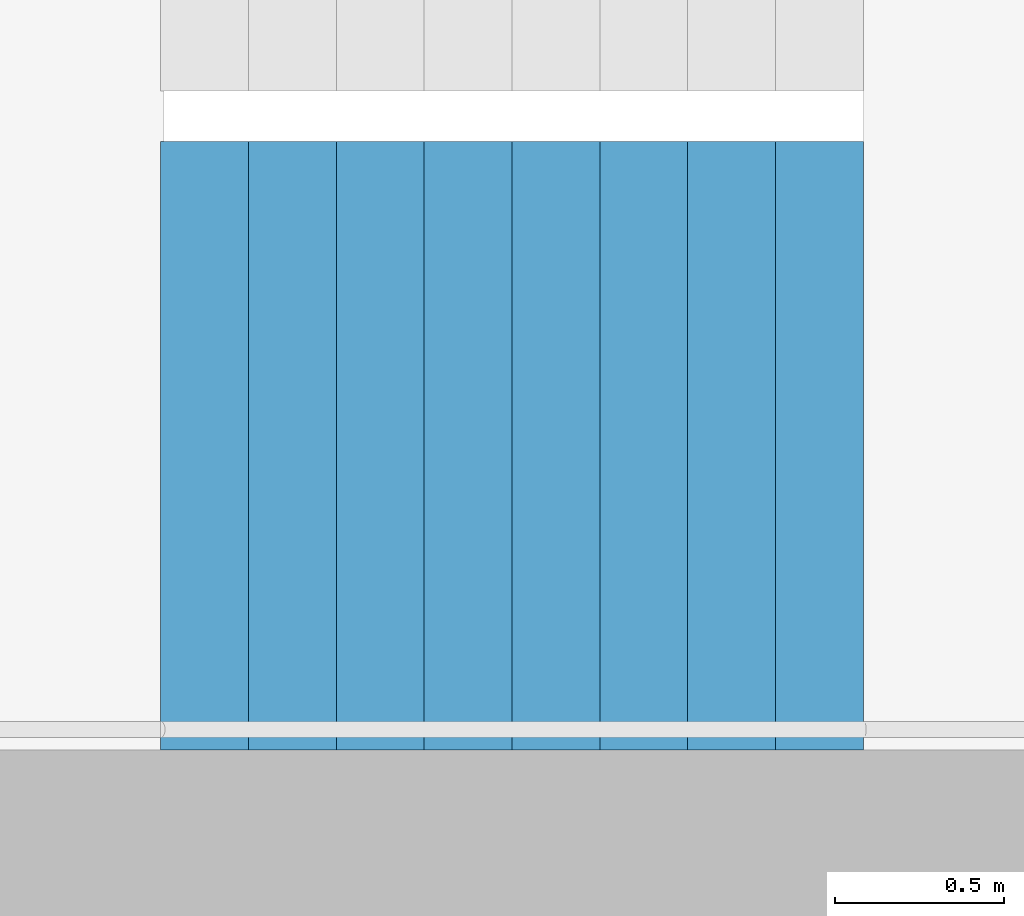
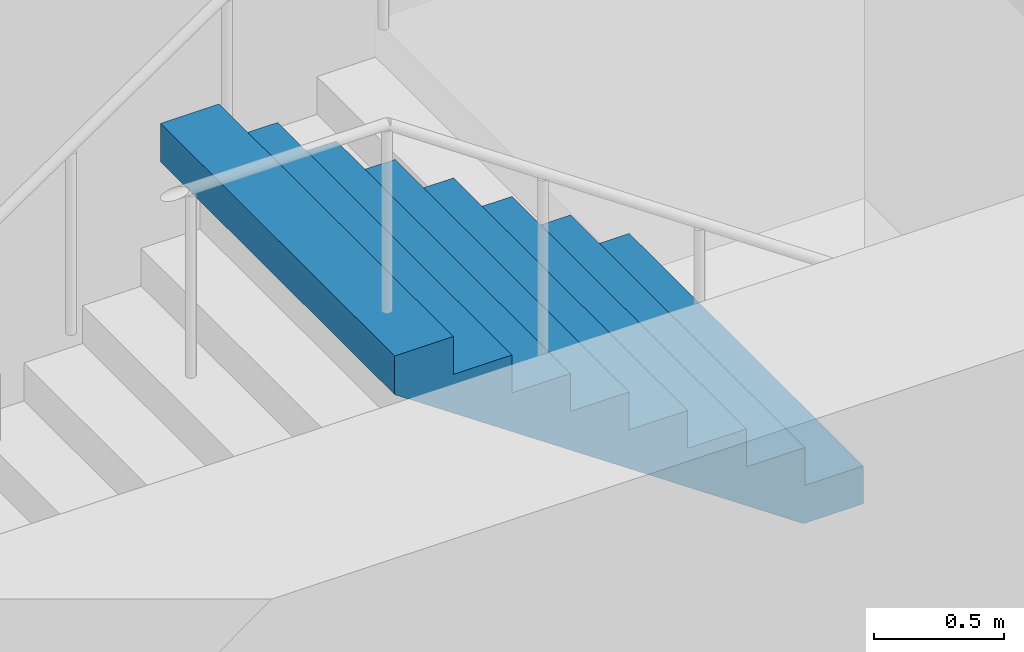
# One storey, part 25 of 29: 1 stair flight, 1 element without a shape of its own.
"""IFC4 building model written with IfcOpenShell, lengths in metres."""

from ifc_helpers import new_model, si_unit, direction, frame, origin, place, context, subcontext, project, spatial, triangles, material, type_object, element, aggregate, save


model = new_model("IFC4")

# Units and contexts
model_context = context("Model", 3, precision=1e-05, world=origin(), true_north=direction((0.0, 1.0)))
body_context = subcontext(model_context, "Body", "Model", "MODEL_VIEW")
ifc_project = project(units=[si_unit("LENGTHUNIT", "METRE"), si_unit("AREAUNIT", "SQUARE_METRE"), si_unit("VOLUMEUNIT", "CUBIC_METRE"), si_unit("PLANEANGLEUNIT", "RADIAN"), si_unit("MASSUNIT", "GRAM", prefix="KILO")], contexts=[model_context])

# Site, building, storey
site_placement = place(None, origin())
site = spatial("IfcSite", under=ifc_project, at=site_placement, CompositionType="ELEMENT")
building_placement = place(site_placement, origin())
building = spatial("IfcBuilding", under=site, at=building_placement, Name="Hakoniwa Tower and Hamabe Station Hall", CompositionType="ELEMENT")
storey_placement = place(building_placement, frame((0.0, 0.0, 85.0)))
storey = spatial("IfcBuildingStorey", under=building, at=storey_placement, Name="L23", CompositionType="ELEMENT", Elevation=85.0)

# Stair, stair flight
ifc_material_1 = material(Name="Concrete C40", Category="concrete")
stair_type = type_object("IfcStairType", Name="ESCAPE STAIR 1800", PredefinedType="HALF_TURN_STAIR", material=ifc_material_1)
stair_placement = place(storey_placement, origin())
stair = element("IfcStair", 1, at=stair_placement, inside=storey, type_object=stair_type, Name="Escape stair ST-4 L23", PredefinedType="HALF_TURN_STAIR")
ifc_material_2 = material(Name="Concrete C40", Category="concrete")
stair_flight_type = type_object("IfcStairFlightType", Name="STAIR FLIGHT 1800", PredefinedType="STRAIGHT", material=ifc_material_2)
stair_flight_placement = place(storey_placement, frame((25.47998046875, -6.60009765625, 1.60009765625), z_axis=(0.0, 0.0, 1.0), x_axis=(-1.0, 0.0, 0.0)))
stair_flight = element("IfcStairFlight", 2, at=stair_flight_placement, type_object=stair_flight_type, Name="ST-4 flight 2", NumberOfRisers=9, NumberOfTreads=8, PredefinedType="STRAIGHT", RiserHeight=0.177777778, TreadLength=0.26, context=body_context, shape_type="Tessellation", body=[
    triangles([(0.0, 0.89990234375, 0.0), (0.260009765625, 0.89990234375, 0.0), (0.265625, 0.89990234375, 0.0), (0.52001953125, 0.89990234375, 0.174072265625), (0.780029296875, 0.89990234375, 0.351806640625), (1.0400390625, 0.89990234375, 0.529541015625), (1.300048828125, 0.89990234375, 0.707275390625), (1.56005859375, 0.89990234375, 0.885009765625), (1.820068359375, 0.89990234375, 1.062744140625), (2.080078125, 0.89990234375, 1.24072265625), (2.080078125, 0.89990234375, 1.422119140625), (1.820068359375, 0.89990234375, 1.422119140625), (1.820068359375, 0.89990234375, 1.244384765625), (1.56005859375, 0.89990234375, 1.244384765625), (1.56005859375, 0.89990234375, 1.066650390625), (1.300048828125, 0.89990234375, 1.066650390625), (1.300048828125, 0.89990234375, 0.888916015625), (1.0400390625, 0.89990234375, 0.888916015625), (1.0400390625, 0.89990234375, 0.711181640625), (0.780029296875, 0.89990234375, 0.711181640625), (0.780029296875, 0.89990234375, 0.533447265625), (0.52001953125, 0.89990234375, 0.533447265625), (0.52001953125, 0.89990234375, 0.35546875), (0.265625, 0.89990234375, 0.35546875), (0.260009765625, 0.89990234375, 0.35546875), (0.260009765625, 0.89990234375, 0.177734375), (0.0, 0.89990234375, 0.177734375), (0.0, 0.06005859375, 0.0), (0.260009765625, 0.06005859375, 0.0), (0.265625, 0.06005859375, 0.0), (0.52001953125, 0.06005859375, 0.174072265625), (0.780029296875, 0.06005859375, 0.351806640625), (1.0400390625, 0.06005859375, 0.529541015625), (1.300048828125, 0.06005859375, 0.707275390625), (1.56005859375, 0.06005859375, 0.885009765625), (1.820068359375, 0.06005859375, 1.062744140625), (2.080078125, 0.06005859375, 1.24072265625), (2.080078125, 0.06005859375, 1.422119140625), (1.820068359375, 0.06005859375, 1.422119140625), (1.820068359375, 0.06005859375, 1.244384765625), (1.56005859375, 0.06005859375, 1.244384765625), (1.56005859375, 0.06005859375, 1.066650390625), (1.300048828125, 0.06005859375, 1.066650390625), (1.300048828125, 0.06005859375, 0.888916015625), (1.0400390625, 0.06005859375, 0.888916015625), (1.0400390625, 0.06005859375, 0.711181640625), (0.780029296875, 0.06005859375, 0.711181640625), (0.780029296875, 0.06005859375, 0.533447265625), (0.52001953125, 0.06005859375, 0.533447265625), (0.52001953125, 0.06005859375, 0.35546875), (0.265625, 0.06005859375, 0.35546875), (0.260009765625, 0.06005859375, 0.35546875), (0.260009765625, 0.06005859375, 0.177734375), (0.0, 0.06005859375, 0.177734375), (0.0, 0.04296875, 0.0), (0.260009765625, 0.04296875, 0.0), (0.265625, 0.04296875, 0.0), (0.52001953125, 0.04296875, 0.174072265625), (0.780029296875, 0.04296875, 0.351806640625), (1.0400390625, 0.04296875, 0.529541015625), (1.300048828125, 0.04296875, 0.707275390625), (1.56005859375, 0.04296875, 0.885009765625), (1.820068359375, 0.04296875, 1.062744140625), (2.080078125, 0.04296875, 1.24072265625), (2.080078125, 0.04296875, 1.422119140625), (1.820068359375, 0.04296875, 1.422119140625), (1.820068359375, 0.04296875, 1.244384765625), (1.56005859375, 0.04296875, 1.244384765625), (1.56005859375, 0.04296875, 1.066650390625), (1.300048828125, 0.04296875, 1.066650390625), (1.300048828125, 0.04296875, 0.888916015625), (1.0400390625, 0.04296875, 0.888916015625), (1.0400390625, 0.04296875, 0.711181640625), (0.780029296875, 0.04296875, 0.711181640625), (0.780029296875, 0.04296875, 0.533447265625), (0.52001953125, 0.04296875, 0.533447265625), (0.52001953125, 0.04296875, 0.35546875), (0.265625, 0.04296875, 0.35546875), (0.260009765625, 0.04296875, 0.35546875), (0.260009765625, 0.04296875, 0.177734375), (0.0, 0.04296875, 0.177734375), (0.0, 0.025634765625, 0.0), (0.260009765625, 0.025634765625, 0.0), (0.265625, 0.025634765625, 0.0), (0.52001953125, 0.025634765625, 0.174072265625), (0.780029296875, 0.025634765625, 0.351806640625), (1.0400390625, 0.025634765625, 0.529541015625), (1.300048828125, 0.025634765625, 0.707275390625), (1.56005859375, 0.025634765625, 0.885009765625), (1.820068359375, 0.025634765625, 1.062744140625), (2.080078125, 0.025634765625, 1.24072265625), (2.080078125, 0.025634765625, 1.422119140625), (1.820068359375, 0.025634765625, 1.422119140625), (1.820068359375, 0.025634765625, 1.244384765625), (1.56005859375, 0.025634765625, 1.244384765625), (1.56005859375, 0.025634765625, 1.066650390625), (1.300048828125, 0.025634765625, 1.066650390625), (1.300048828125, 0.025634765625, 0.888916015625), (1.0400390625, 0.025634765625, 0.888916015625), (1.0400390625, 0.025634765625, 0.711181640625), (0.780029296875, 0.025634765625, 0.711181640625), (0.780029296875, 0.025634765625, 0.533447265625), (0.52001953125, 0.025634765625, 0.533447265625), (0.52001953125, 0.025634765625, 0.35546875), (0.265625, 0.025634765625, 0.35546875), (0.260009765625, 0.025634765625, 0.35546875), (0.260009765625, 0.025634765625, 0.177734375), (0.0, 0.025634765625, 0.177734375), (0.0, 0.008544921875, 0.0), (0.260009765625, 0.008544921875, 0.0), (0.265625, 0.008544921875, 0.0), (0.52001953125, 0.008544921875, 0.174072265625), (0.780029296875, 0.008544921875, 0.351806640625), (1.0400390625, 0.008544921875, 0.529541015625), (1.300048828125, 0.008544921875, 0.707275390625), (1.56005859375, 0.008544921875, 0.885009765625), (1.820068359375, 0.008544921875, 1.062744140625), (2.080078125, 0.008544921875, 1.24072265625), (2.080078125, 0.008544921875, 1.422119140625), (1.820068359375, 0.008544921875, 1.422119140625), (1.820068359375, 0.008544921875, 1.244384765625), (1.56005859375, 0.008544921875, 1.244384765625), (1.56005859375, 0.008544921875, 1.066650390625), (1.300048828125, 0.008544921875, 1.066650390625), (1.300048828125, 0.008544921875, 0.888916015625), (1.0400390625, 0.008544921875, 0.888916015625), (1.0400390625, 0.008544921875, 0.711181640625), (0.780029296875, 0.008544921875, 0.711181640625), (0.780029296875, 0.008544921875, 0.533447265625), (0.52001953125, 0.008544921875, 0.533447265625), (0.52001953125, 0.008544921875, 0.35546875), (0.265625, 0.008544921875, 0.35546875), (0.260009765625, 0.008544921875, 0.35546875), (0.260009765625, 0.008544921875, 0.177734375), (0.0, 0.008544921875, 0.177734375), (0.0, -0.008544921875, 0.0), (0.260009765625, -0.008544921875, 0.0), (0.265625, -0.008544921875, 0.0), (0.52001953125, -0.008544921875, 0.174072265625), (0.780029296875, -0.008544921875, 0.351806640625), (1.0400390625, -0.008544921875, 0.529541015625), (1.300048828125, -0.008544921875, 0.707275390625), (1.56005859375, -0.008544921875, 0.885009765625), (1.820068359375, -0.008544921875, 1.062744140625), (2.080078125, -0.008544921875, 1.24072265625), (2.080078125, -0.008544921875, 1.422119140625), (1.820068359375, -0.008544921875, 1.422119140625), (1.820068359375, -0.008544921875, 1.244384765625), (1.56005859375, -0.008544921875, 1.244384765625), (1.56005859375, -0.008544921875, 1.066650390625), (1.300048828125, -0.008544921875, 1.066650390625), (1.300048828125, -0.008544921875, 0.888916015625), (1.0400390625, -0.008544921875, 0.888916015625), (1.0400390625, -0.008544921875, 0.711181640625), (0.780029296875, -0.008544921875, 0.711181640625), (0.780029296875, -0.008544921875, 0.533447265625), (0.52001953125, -0.008544921875, 0.533447265625), (0.52001953125, -0.008544921875, 0.35546875), (0.265625, -0.008544921875, 0.35546875), (0.260009765625, -0.008544921875, 0.35546875), (0.260009765625, -0.008544921875, 0.177734375), (0.0, -0.008544921875, 0.177734375), (0.0, -0.025634765625, 0.0), (0.260009765625, -0.025634765625, 0.0), (0.265625, -0.025634765625, 0.0), (0.52001953125, -0.025634765625, 0.174072265625), (0.780029296875, -0.025634765625, 0.351806640625), (1.0400390625, -0.025634765625, 0.529541015625), (1.300048828125, -0.025634765625, 0.707275390625), (1.56005859375, -0.025634765625, 0.885009765625), (1.820068359375, -0.025634765625, 1.062744140625), (2.080078125, -0.025634765625, 1.24072265625), (2.080078125, -0.025634765625, 1.422119140625), (1.820068359375, -0.025634765625, 1.422119140625), (1.820068359375, -0.025634765625, 1.244384765625), (1.56005859375, -0.025634765625, 1.244384765625), (1.56005859375, -0.025634765625, 1.066650390625), (1.300048828125, -0.025634765625, 1.066650390625), (1.300048828125, -0.025634765625, 0.888916015625), (1.0400390625, -0.025634765625, 0.888916015625), (1.0400390625, -0.025634765625, 0.711181640625), (0.780029296875, -0.025634765625, 0.711181640625), (0.780029296875, -0.025634765625, 0.533447265625), (0.52001953125, -0.025634765625, 0.533447265625), (0.52001953125, -0.025634765625, 0.35546875), (0.265625, -0.025634765625, 0.35546875), (0.260009765625, -0.025634765625, 0.35546875), (0.260009765625, -0.025634765625, 0.177734375), (0.0, -0.025634765625, 0.177734375), (0.0, -0.04296875, 0.0), (0.260009765625, -0.04296875, 0.0), (0.265625, -0.04296875, 0.0), (0.52001953125, -0.04296875, 0.174072265625), (0.780029296875, -0.04296875, 0.351806640625), (1.0400390625, -0.04296875, 0.529541015625), (1.300048828125, -0.04296875, 0.707275390625), (1.56005859375, -0.04296875, 0.885009765625), (1.820068359375, -0.04296875, 1.062744140625), (2.080078125, -0.04296875, 1.24072265625), (2.080078125, -0.04296875, 1.422119140625), (1.820068359375, -0.04296875, 1.422119140625), (1.820068359375, -0.04296875, 1.244384765625), (1.56005859375, -0.04296875, 1.244384765625), (1.56005859375, -0.04296875, 1.066650390625), (1.300048828125, -0.04296875, 1.066650390625), (1.300048828125, -0.04296875, 0.888916015625), (1.0400390625, -0.04296875, 0.888916015625), (1.0400390625, -0.04296875, 0.711181640625), (0.780029296875, -0.04296875, 0.711181640625), (0.780029296875, -0.04296875, 0.533447265625), (0.52001953125, -0.04296875, 0.533447265625), (0.52001953125, -0.04296875, 0.35546875), (0.265625, -0.04296875, 0.35546875), (0.260009765625, -0.04296875, 0.35546875), (0.260009765625, -0.04296875, 0.177734375), (0.0, -0.04296875, 0.177734375), (0.0, -0.06005859375, 0.0), (0.260009765625, -0.06005859375, 0.0), (0.265625, -0.06005859375, 0.0), (0.52001953125, -0.06005859375, 0.174072265625), (0.780029296875, -0.06005859375, 0.351806640625), (1.0400390625, -0.06005859375, 0.529541015625), (1.300048828125, -0.06005859375, 0.707275390625), (1.56005859375, -0.06005859375, 0.885009765625), (1.820068359375, -0.06005859375, 1.062744140625), (2.080078125, -0.06005859375, 1.24072265625), (2.080078125, -0.06005859375, 1.422119140625), (1.820068359375, -0.06005859375, 1.422119140625), (1.820068359375, -0.06005859375, 1.244384765625), (1.56005859375, -0.06005859375, 1.244384765625), (1.56005859375, -0.06005859375, 1.066650390625), (1.300048828125, -0.06005859375, 1.066650390625), (1.300048828125, -0.06005859375, 0.888916015625), (1.0400390625, -0.06005859375, 0.888916015625), (1.0400390625, -0.06005859375, 0.711181640625), (0.780029296875, -0.06005859375, 0.711181640625), (0.780029296875, -0.06005859375, 0.533447265625), (0.52001953125, -0.06005859375, 0.533447265625), (0.52001953125, -0.06005859375, 0.35546875), (0.265625, -0.06005859375, 0.35546875), (0.260009765625, -0.06005859375, 0.35546875), (0.260009765625, -0.06005859375, 0.177734375), (0.0, -0.06005859375, 0.177734375), (0.0, -0.89990234375, 0.0), (0.260009765625, -0.89990234375, 0.0), (0.265625, -0.89990234375, 0.0), (0.52001953125, -0.89990234375, 0.174072265625), (0.780029296875, -0.89990234375, 0.351806640625), (1.0400390625, -0.89990234375, 0.529541015625), (1.300048828125, -0.89990234375, 0.707275390625), (1.56005859375, -0.89990234375, 0.885009765625), (1.820068359375, -0.89990234375, 1.062744140625), (2.080078125, -0.89990234375, 1.24072265625), (2.080078125, -0.89990234375, 1.422119140625), (1.820068359375, -0.89990234375, 1.422119140625), (1.820068359375, -0.89990234375, 1.244384765625), (1.56005859375, -0.89990234375, 1.244384765625), (1.56005859375, -0.89990234375, 1.066650390625), (1.300048828125, -0.89990234375, 1.066650390625), (1.300048828125, -0.89990234375, 0.888916015625), (1.0400390625, -0.89990234375, 0.888916015625), (1.0400390625, -0.89990234375, 0.711181640625), (0.780029296875, -0.89990234375, 0.711181640625), (0.780029296875, -0.89990234375, 0.533447265625), (0.52001953125, -0.89990234375, 0.533447265625), (0.52001953125, -0.89990234375, 0.35546875), (0.265625, -0.89990234375, 0.35546875), (0.260009765625, -0.89990234375, 0.35546875), (0.260009765625, -0.89990234375, 0.177734375), (0.0, -0.89990234375, 0.177734375)], [[2, 27, 26], [245, 269, 270], [2, 1, 27], [245, 270, 244], [3, 25, 24], [246, 267, 268], [3, 26, 25], [246, 268, 269], [3, 2, 26], [246, 269, 245], [4, 24, 23], [247, 266, 267], [4, 3, 24], [247, 267, 246], [5, 22, 21], [248, 264, 265], [5, 23, 22], [248, 265, 266], [5, 4, 23], [248, 266, 247], [6, 20, 19], [249, 262, 263], [6, 21, 20], [249, 263, 264], [6, 5, 21], [249, 264, 248], [7, 18, 17], [250, 260, 261], [7, 19, 18], [250, 261, 262], [7, 6, 19], [250, 262, 249], [8, 16, 15], [251, 258, 259], [8, 17, 16], [251, 259, 260], [8, 7, 17], [251, 260, 250], [9, 14, 13], [252, 256, 257], [9, 15, 14], [252, 257, 258], [9, 8, 15], [252, 258, 251], [10, 12, 11], [253, 254, 255], [10, 13, 12], [253, 255, 256], [10, 9, 13], [253, 256, 252], [1, 2, 29], [1, 29, 28], [28, 29, 56], [28, 56, 55], [55, 56, 83], [55, 83, 82], [82, 83, 110], [82, 110, 109], [109, 110, 137], [109, 137, 136], [136, 137, 164], [136, 164, 163], [163, 164, 191], [163, 191, 190], [190, 191, 218], [190, 218, 217], [217, 218, 245], [217, 245, 244], [2, 3, 30], [2, 30, 29], [29, 30, 57], [29, 57, 56], [56, 57, 84], [56, 84, 83], [83, 84, 111], [83, 111, 110], [110, 111, 138], [110, 138, 137], [137, 138, 165], [137, 165, 164], [164, 165, 192], [164, 192, 191], [191, 192, 219], [191, 219, 218], [218, 219, 246], [218, 246, 245], [3, 4, 31], [3, 31, 30], [30, 31, 58], [30, 58, 57], [57, 58, 85], [57, 85, 84], [84, 85, 112], [84, 112, 111], [111, 112, 139], [111, 139, 138], [138, 139, 166], [138, 166, 165], [165, 166, 193], [165, 193, 192], [192, 193, 220], [192, 220, 219], [219, 220, 247], [219, 247, 246], [4, 5, 32], [4, 32, 31], [31, 32, 59], [31, 59, 58], [58, 59, 86], [58, 86, 85], [85, 86, 113], [85, 113, 112], [112, 113, 140], [112, 140, 139], [139, 140, 167], [139, 167, 166], [166, 167, 194], [166, 194, 193], [193, 194, 221], [193, 221, 220], [220, 221, 248], [220, 248, 247], [5, 6, 33], [5, 33, 32], [32, 33, 60], [32, 60, 59], [59, 60, 87], [59, 87, 86], [86, 87, 114], [86, 114, 113], [113, 114, 141], [113, 141, 140], [140, 141, 168], [140, 168, 167], [167, 168, 195], [167, 195, 194], [194, 195, 222], [194, 222, 221], [221, 222, 249], [221, 249, 248], [6, 7, 34], [6, 34, 33], [33, 34, 61], [33, 61, 60], [60, 61, 88], [60, 88, 87], [87, 88, 115], [87, 115, 114], [114, 115, 142], [114, 142, 141], [141, 142, 169], [141, 169, 168], [168, 169, 196], [168, 196, 195], [195, 196, 223], [195, 223, 222], [222, 223, 250], [222, 250, 249], [7, 8, 35], [7, 35, 34], [34, 35, 62], [34, 62, 61], [61, 62, 89], [61, 89, 88], [88, 89, 116], [88, 116, 115], [115, 116, 143], [115, 143, 142], [142, 143, 170], [142, 170, 169], [169, 170, 197], [169, 197, 196], [196, 197, 224], [196, 224, 223], [223, 224, 251], [223, 251, 250], [8, 9, 36], [8, 36, 35], [35, 36, 63], [35, 63, 62], [62, 63, 90], [62, 90, 89], [89, 90, 117], [89, 117, 116], [116, 117, 144], [116, 144, 143], [143, 144, 171], [143, 171, 170], [170, 171, 198], [170, 198, 197], [197, 198, 225], [197, 225, 224], [224, 225, 252], [224, 252, 251], [9, 10, 37], [9, 37, 36], [36, 37, 64], [36, 64, 63], [63, 64, 91], [63, 91, 90], [90, 91, 118], [90, 118, 117], [117, 118, 145], [117, 145, 144], [144, 145, 172], [144, 172, 171], [171, 172, 199], [171, 199, 198], [198, 199, 226], [198, 226, 225], [225, 226, 253], [225, 253, 252], [10, 11, 38], [10, 38, 37], [37, 38, 65], [37, 65, 64], [64, 65, 92], [64, 92, 91], [91, 92, 119], [91, 119, 118], [118, 119, 146], [118, 146, 145], [145, 146, 173], [145, 173, 172], [172, 173, 200], [172, 200, 199], [199, 200, 227], [199, 227, 226], [226, 227, 254], [226, 254, 253], [11, 12, 39], [11, 39, 38], [38, 39, 66], [38, 66, 65], [65, 66, 93], [65, 93, 92], [92, 93, 120], [92, 120, 119], [119, 120, 147], [119, 147, 146], [146, 147, 174], [146, 174, 173], [173, 174, 201], [173, 201, 200], [200, 201, 228], [200, 228, 227], [227, 228, 255], [227, 255, 254], [12, 13, 40], [12, 40, 39], [39, 40, 67], [39, 67, 66], [66, 67, 94], [66, 94, 93], [93, 94, 121], [93, 121, 120], [120, 121, 148], [120, 148, 147], [147, 148, 175], [147, 175, 174], [174, 175, 202], [174, 202, 201], [201, 202, 229], [201, 229, 228], [228, 229, 256], [228, 256, 255], [13, 14, 41], [13, 41, 40], [40, 41, 68], [40, 68, 67], [67, 68, 95], [67, 95, 94], [94, 95, 122], [94, 122, 121], [121, 122, 149], [121, 149, 148], [148, 149, 176], [148, 176, 175], [175, 176, 203], [175, 203, 202], [202, 203, 230], [202, 230, 229], [229, 230, 257], [229, 257, 256], [14, 15, 42], [14, 42, 41], [41, 42, 69], [41, 69, 68], [68, 69, 96], [68, 96, 95], [95, 96, 123], [95, 123, 122], [122, 123, 150], [122, 150, 149], [149, 150, 177], [149, 177, 176], [176, 177, 204], [176, 204, 203], [203, 204, 231], [203, 231, 230], [230, 231, 258], [230, 258, 257], [15, 16, 43], [15, 43, 42], [42, 43, 70], [42, 70, 69], [69, 70, 97], [69, 97, 96], [96, 97, 124], [96, 124, 123], [123, 124, 151], [123, 151, 150], [150, 151, 178], [150, 178, 177], [177, 178, 205], [177, 205, 204], [204, 205, 232], [204, 232, 231], [231, 232, 259], [231, 259, 258], [16, 17, 44], [16, 44, 43], [43, 44, 71], [43, 71, 70], [70, 71, 98], [70, 98, 97], [97, 98, 125], [97, 125, 124], [124, 125, 152], [124, 152, 151], [151, 152, 179], [151, 179, 178], [178, 179, 206], [178, 206, 205], [205, 206, 233], [205, 233, 232], [232, 233, 260], [232, 260, 259], [17, 18, 45], [17, 45, 44], [44, 45, 72], [44, 72, 71], [71, 72, 99], [71, 99, 98], [98, 99, 126], [98, 126, 125], [125, 126, 153], [125, 153, 152], [152, 153, 180], [152, 180, 179], [179, 180, 207], [179, 207, 206], [206, 207, 234], [206, 234, 233], [233, 234, 261], [233, 261, 260], [18, 19, 46], [18, 46, 45], [45, 46, 73], [45, 73, 72], [72, 73, 100], [72, 100, 99], [99, 100, 127], [99, 127, 126], [126, 127, 154], [126, 154, 153], [153, 154, 181], [153, 181, 180], [180, 181, 208], [180, 208, 207], [207, 208, 235], [207, 235, 234], [234, 235, 262], [234, 262, 261], [19, 20, 47], [19, 47, 46], [46, 47, 74], [46, 74, 73], [73, 74, 101], [73, 101, 100], [100, 101, 128], [100, 128, 127], [127, 128, 155], [127, 155, 154], [154, 155, 182], [154, 182, 181], [181, 182, 209], [181, 209, 208], [208, 209, 236], [208, 236, 235], [235, 236, 263], [235, 263, 262], [20, 21, 48], [20, 48, 47], [47, 48, 75], [47, 75, 74], [74, 75, 102], [74, 102, 101], [101, 102, 129], [101, 129, 128], [128, 129, 156], [128, 156, 155], [155, 156, 183], [155, 183, 182], [182, 183, 210], [182, 210, 209], [209, 210, 237], [209, 237, 236], [236, 237, 264], [236, 264, 263], [21, 22, 49], [21, 49, 48], [48, 49, 76], [48, 76, 75], [75, 76, 103], [75, 103, 102], [102, 103, 130], [102, 130, 129], [129, 130, 157], [129, 157, 156], [156, 157, 184], [156, 184, 183], [183, 184, 211], [183, 211, 210], [210, 211, 238], [210, 238, 237], [237, 238, 265], [237, 265, 264], [22, 23, 50], [22, 50, 49], [49, 50, 77], [49, 77, 76], [76, 77, 104], [76, 104, 103], [103, 104, 131], [103, 131, 130], [130, 131, 158], [130, 158, 157], [157, 158, 185], [157, 185, 184], [184, 185, 212], [184, 212, 211], [211, 212, 239], [211, 239, 238], [238, 239, 266], [238, 266, 265], [23, 24, 51], [23, 51, 50], [50, 51, 78], [50, 78, 77], [77, 78, 105], [77, 105, 104], [104, 105, 132], [104, 132, 131], [131, 132, 159], [131, 159, 158], [158, 159, 186], [158, 186, 185], [185, 186, 213], [185, 213, 212], [212, 213, 240], [212, 240, 239], [239, 240, 267], [239, 267, 266], [24, 25, 52], [24, 52, 51], [51, 52, 79], [51, 79, 78], [78, 79, 106], [78, 106, 105], [105, 106, 133], [105, 133, 132], [132, 133, 160], [132, 160, 159], [159, 160, 187], [159, 187, 186], [186, 187, 214], [186, 214, 213], [213, 214, 241], [213, 241, 240], [240, 241, 268], [240, 268, 267], [25, 26, 53], [25, 53, 52], [52, 53, 80], [52, 80, 79], [79, 80, 107], [79, 107, 106], [106, 107, 134], [106, 134, 133], [133, 134, 161], [133, 161, 160], [160, 161, 188], [160, 188, 187], [187, 188, 215], [187, 215, 214], [214, 215, 242], [214, 242, 241], [241, 242, 269], [241, 269, 268], [26, 27, 54], [26, 54, 53], [53, 54, 81], [53, 81, 80], [80, 81, 108], [80, 108, 107], [107, 108, 135], [107, 135, 134], [134, 135, 162], [134, 162, 161], [161, 162, 189], [161, 189, 188], [188, 189, 216], [188, 216, 215], [215, 216, 243], [215, 243, 242], [242, 243, 270], [242, 270, 269], [27, 1, 28], [27, 28, 54], [54, 28, 55], [54, 55, 81], [81, 55, 82], [81, 82, 108], [108, 82, 109], [108, 109, 135], [135, 109, 136], [135, 136, 162], [162, 136, 163], [162, 163, 189], [189, 163, 190], [189, 190, 216], [216, 190, 217], [216, 217, 243], [243, 217, 244], [243, 244, 270]], closed=True),
])
aggregate(stair, [stair_flight])

save(model, "model.ifc")
